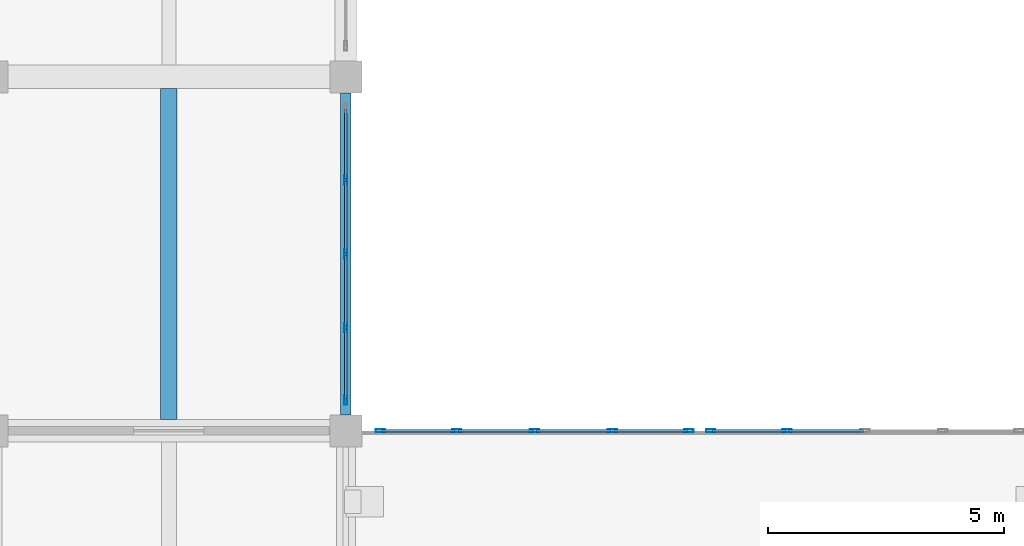
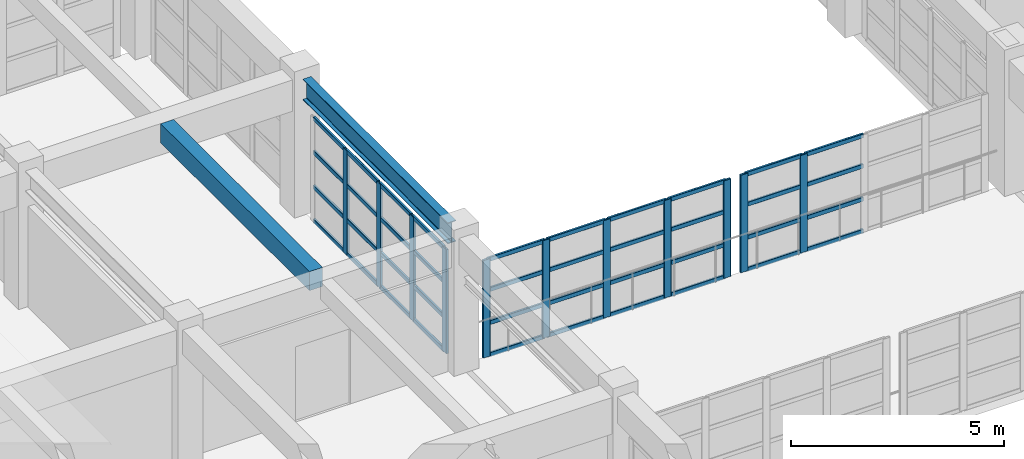
# One storey, part 23 of 132: 51 members, 2 beams, 3 elements without a shape of their own.
"""IFC4 building model written with IfcOpenShell, lengths in metres."""

from ifc_helpers import new_model, si_unit, direction, frame, origin, origin_2d, place, context, subcontext, project, spatial, rectangle, hollow_rectangle, i_section, extrude, material, material_profile, profile_set, type_object, element, aggregate, save


model = new_model("IFC4")

# Units and contexts
model_context = context("Model", 3, precision=1e-05, world=origin(), true_north=direction((0.0, 1.0)))
body_context = subcontext(model_context, "Body", "Model", "MODEL_VIEW")
ifc_project = project(units=[si_unit("LENGTHUNIT", "METRE"), si_unit("AREAUNIT", "SQUARE_METRE"), si_unit("VOLUMEUNIT", "CUBIC_METRE"), si_unit("PLANEANGLEUNIT", "RADIAN"), si_unit("MASSUNIT", "GRAM", prefix="KILO")], contexts=[model_context])

# Site, building, storey
site_placement = place(None, origin())
site = spatial("IfcSite", under=ifc_project, at=site_placement, CompositionType="ELEMENT")
building_placement = place(site_placement, origin())
building = spatial("IfcBuilding", under=site, at=building_placement, Name="Qasida Concert Hall", CompositionType="ELEMENT")
storey_placement = place(building_placement, frame((0.0, 0.0, 4.800048828125)))
storey = spatial("IfcBuildingStorey", under=building, at=storey_placement, Name="L01", CompositionType="ELEMENT", Elevation=4.800048828125)

# Beams
ifc_material_1 = material(Name="Concrete C40/50", Category="concrete")
ifc_material_profile_1 = material_profile(ifc_material_1, rectangle(XDim=0.35009765625, YDim=0.550048828125, at=origin_2d()), Name="RC 350x550")
ifc_profile_set_1 = profile_set([ifc_material_profile_1], Name="Concrete C40/50")
beam_type_1 = type_object("IfcBeamType", Name="BM-J8", PredefinedType="JOIST", material=ifc_profile_set_1)
beam_1_placement = place(storey_placement, frame((33.75, 37.739990234375, 3.64501953125), z_axis=(0.0, 1.0, 0.0), x_axis=(-1.0, 0.0, 0.0)))
element("IfcBeam", 1, at=beam_1_placement, inside=storey, type_object=beam_type_1, Name="L01 secondary joist 0975", PredefinedType="JOIST", context=body_context, shape_type="SweptSolid", body=[
    extrude(rectangle(XDim=0.35009765625, YDim=0.550048828125, at=origin_2d()), origin(), (0.0, 0.0, 1.0), 7.010009765625),
])
ifc_material_2 = material(Name="Steel S355J2", Category="steel")
ifc_material_profile_2 = material_profile(ifc_material_2, i_section(OverallWidth=0.219970703125, OverallDepth=0.60009765625, WebThickness=0.011962890625, FlangeThickness=0.01904296875, FilletRadius=0.02392578125, at=origin_2d()), Name="IPE 600")
ifc_profile_set_2 = profile_set([ifc_material_profile_2], Name="Steel S355J2")
beam_type_2 = type_object("IfcBeamType", Name="BM-SP3", PredefinedType="SPANDREL", material=ifc_profile_set_2)
beam_2_placement = place(storey_placement, frame((37.5, 37.840087890625, 3.619873046875), z_axis=(0.0, 1.0, 0.0), x_axis=(-1.0, 0.0, 0.0)))
element("IfcBeam", 2, at=beam_2_placement, inside=storey, type_object=beam_type_2, Name="L01 girder 0946", PredefinedType="SPANDREL", context=body_context, shape_type="SweptSolid", body=[
    extrude(i_section(OverallWidth=0.219970703125, OverallDepth=0.60009765625, WebThickness=0.011962890625, FlangeThickness=0.01904296875, FilletRadius=0.02392578125, at=origin_2d()), origin(), (0.0, 0.0, 1.0), 6.81982421875),
])

# Curtain wall, members
ifc_material_3 = material(Name="Architectural bronze-anodized aluminium and low-E glass", Category="aluminium")
curtain_wall_type_1 = type_object("IfcCurtainWallType", Name="CW-07", PredefinedType="NOTDEFINED", material=ifc_material_3)
curtain_wall_1_placement = place(storey_placement, origin())
curtain_wall_1 = element("IfcCurtainWall", 3, at=curtain_wall_1_placement, inside=storey, type_object=curtain_wall_type_1, Name="L01 curtain wall CW-07 0097", PredefinedType="NOTDEFINED")
ifc_material_4 = material(Name="Architectural bronze-anodized aluminium EN AW-6063", Category="aluminium")
ifc_material_profile_3 = material_profile(ifc_material_4, hollow_rectangle(XDim=0.06494140625, YDim=0.199951171875, WallThickness=0.0048828125, InnerFilletRadius=0.0048828125, OuterFilletRadius=0.010009765625, at=origin_2d()), Name="CWM 200x65x5")
ifc_profile_set_3 = profile_set([ifc_material_profile_3], Name="Architectural bronze-anodized aluminium EN AW-6063")
member_type_1 = type_object("IfcMemberType", Name="MB-CWM-2", PredefinedType="MULLION", material=ifc_profile_set_3)
member_1_placement = place(storey_placement, frame((37.5, 38.152587890625, 0.0), z_axis=(0.0, 0.0, 1.0), x_axis=(-1.0, 0.0, 0.0)))
member_1 = element("IfcMember", 4, at=member_1_placement, type_object=member_type_1, Name="CW-07 mullion 1", PredefinedType="MULLION", context=body_context, shape_type="SweptSolid", body=[
    extrude(hollow_rectangle(XDim=0.06494140625, YDim=0.199951171875, WallThickness=0.0048828125, InnerFilletRadius=0.0048828125, OuterFilletRadius=0.010009765625, at=origin_2d()), origin(), (0.0, 0.0, 1.0), 2.989990234375),
])
member_2_placement = place(storey_placement, frame((37.5, 39.68505859375, 0.0), z_axis=(0.0, 0.0, 1.0), x_axis=(-1.0, 0.0, 0.0)))
member_2 = element("IfcMember", 5, at=member_2_placement, type_object=member_type_1, Name="CW-07 mullion 2", PredefinedType="MULLION", context=body_context, shape_type="SweptSolid", body=[
    extrude(hollow_rectangle(XDim=0.06494140625, YDim=0.199951171875, WallThickness=0.0048828125, InnerFilletRadius=0.0048828125, OuterFilletRadius=0.010009765625, at=origin_2d()), origin(), (0.0, 0.0, 1.0), 2.989990234375),
])
member_3_placement = place(storey_placement, frame((37.5, 41.25, 0.0), z_axis=(0.0, 0.0, 1.0), x_axis=(-1.0, 0.0, 0.0)))
member_3 = element("IfcMember", 6, at=member_3_placement, type_object=member_type_1, Name="CW-07 mullion 3", PredefinedType="MULLION", context=body_context, shape_type="SweptSolid", body=[
    extrude(hollow_rectangle(XDim=0.06494140625, YDim=0.199951171875, WallThickness=0.0048828125, InnerFilletRadius=0.0048828125, OuterFilletRadius=0.010009765625, at=origin_2d()), origin(), (0.0, 0.0, 1.0), 2.989990234375),
])
member_4_placement = place(storey_placement, frame((37.5, 42.81494140625, 0.0), z_axis=(0.0, 0.0, 1.0), x_axis=(-1.0, 0.0, 0.0)))
member_4 = element("IfcMember", 7, at=member_4_placement, type_object=member_type_1, Name="CW-07 mullion 4", PredefinedType="MULLION", context=body_context, shape_type="SweptSolid", body=[
    extrude(hollow_rectangle(XDim=0.06494140625, YDim=0.199951171875, WallThickness=0.0048828125, InnerFilletRadius=0.0048828125, OuterFilletRadius=0.010009765625, at=origin_2d()), origin(), (0.0, 0.0, 1.0), 2.989990234375),
])

curtain_wall_type_2 = type_object("IfcCurtainWallType", Name="CW-08", PredefinedType="NOTDEFINED", material=ifc_material_3)
curtain_wall_2_placement = place(storey_placement, origin())
curtain_wall_2 = element("IfcCurtainWall", 8, at=curtain_wall_2_placement, inside=storey, type_object=curtain_wall_type_2, Name="L01 link bridge glazing 0199", PredefinedType="NOTDEFINED")
member_5_placement = place(storey_placement, frame((38.232421875, 37.5, 0.0), z_axis=(0.0, 0.0, 1.0), x_axis=(0.0, 1.0, 0.0)))
member_5 = element("IfcMember", 9, at=member_5_placement, type_object=member_type_1, Name="CW-08 mullion 1", PredefinedType="MULLION", context=body_context, shape_type="SweptSolid", body=[
    extrude(hollow_rectangle(XDim=0.06494140625, YDim=0.199951171875, WallThickness=0.0048828125, InnerFilletRadius=0.0048828125, OuterFilletRadius=0.010009765625, at=origin_2d()), origin(), (0.0, 0.0, 1.0), 2.800048828125),
])
member_6_placement = place(storey_placement, frame((39.85009765625, 37.5, 0.0), z_axis=(0.0, 0.0, 1.0), x_axis=(0.0, 1.0, 0.0)))
member_6 = element("IfcMember", 10, at=member_6_placement, type_object=member_type_1, Name="CW-08 mullion 2", PredefinedType="MULLION", context=body_context, shape_type="SweptSolid", body=[
    extrude(hollow_rectangle(XDim=0.06494140625, YDim=0.199951171875, WallThickness=0.0048828125, InnerFilletRadius=0.0048828125, OuterFilletRadius=0.010009765625, at=origin_2d()), origin(), (0.0, 0.0, 1.0), 2.800048828125),
])
member_7_placement = place(storey_placement, frame((41.5, 37.5, 0.0), z_axis=(0.0, 0.0, 1.0), x_axis=(0.0, 1.0, 0.0)))
member_7 = element("IfcMember", 11, at=member_7_placement, type_object=member_type_1, Name="CW-08 mullion 3", PredefinedType="MULLION", context=body_context, shape_type="SweptSolid", body=[
    extrude(hollow_rectangle(XDim=0.06494140625, YDim=0.199951171875, WallThickness=0.0048828125, InnerFilletRadius=0.0048828125, OuterFilletRadius=0.010009765625, at=origin_2d()), origin(), (0.0, 0.0, 1.0), 2.800048828125),
])
member_8_placement = place(storey_placement, frame((43.14990234375, 37.5, 0.0), z_axis=(0.0, 0.0, 1.0), x_axis=(0.0, 1.0, 0.0)))
member_8 = element("IfcMember", 12, at=member_8_placement, type_object=member_type_1, Name="CW-08 mullion 4", PredefinedType="MULLION", context=body_context, shape_type="SweptSolid", body=[
    extrude(hollow_rectangle(XDim=0.06494140625, YDim=0.199951171875, WallThickness=0.0048828125, InnerFilletRadius=0.0048828125, OuterFilletRadius=0.010009765625, at=origin_2d()), origin(), (0.0, 0.0, 1.0), 2.800048828125),
])
member_9_placement = place(storey_placement, frame((44.767578125, 37.5, 0.0), z_axis=(0.0, 0.0, 1.0), x_axis=(0.0, 1.0, 0.0)))
member_9 = element("IfcMember", 13, at=member_9_placement, type_object=member_type_1, Name="CW-08 mullion 5", PredefinedType="MULLION", context=body_context, shape_type="SweptSolid", body=[
    extrude(hollow_rectangle(XDim=0.06494140625, YDim=0.199951171875, WallThickness=0.0048828125, InnerFilletRadius=0.0048828125, OuterFilletRadius=0.010009765625, at=origin_2d()), origin(), (0.0, 0.0, 1.0), 2.800048828125),
])

curtain_wall_3_placement = place(storey_placement, origin())
curtain_wall_3 = element("IfcCurtainWall", 14, at=curtain_wall_3_placement, inside=storey, type_object=curtain_wall_type_2, Name="L01 link bridge glazing 0201", PredefinedType="NOTDEFINED")
member_10_placement = place(storey_placement, frame((45.232421875, 37.5, 0.0), z_axis=(0.0, 0.0, 1.0), x_axis=(0.0, 1.0, 0.0)))
member_10 = element("IfcMember", 15, at=member_10_placement, type_object=member_type_1, Name="CW-08 mullion 1", PredefinedType="MULLION", context=body_context, shape_type="SweptSolid", body=[
    extrude(hollow_rectangle(XDim=0.06494140625, YDim=0.199951171875, WallThickness=0.0048828125, InnerFilletRadius=0.0048828125, OuterFilletRadius=0.010009765625, at=origin_2d()), origin(), (0.0, 0.0, 1.0), 2.800048828125),
])
member_11_placement = place(storey_placement, frame((46.85009765625, 37.5, 0.0), z_axis=(0.0, 0.0, 1.0), x_axis=(0.0, 1.0, 0.0)))
member_11 = element("IfcMember", 16, at=member_11_placement, type_object=member_type_1, Name="CW-08 mullion 2", PredefinedType="MULLION", context=body_context, shape_type="SweptSolid", body=[
    extrude(hollow_rectangle(XDim=0.06494140625, YDim=0.199951171875, WallThickness=0.0048828125, InnerFilletRadius=0.0048828125, OuterFilletRadius=0.010009765625, at=origin_2d()), origin(), (0.0, 0.0, 1.0), 2.800048828125),
])

# Member
ifc_material_profile_4 = material_profile(ifc_material_4, hollow_rectangle(XDim=0.06005859375, YDim=0.1201171875, WallThickness=0.00390625, InnerFilletRadius=0.00390625, OuterFilletRadius=0.008056640625, at=origin_2d()), Name="CWT 120x60x4")
ifc_profile_set_4 = profile_set([ifc_material_profile_4], Name="Architectural bronze-anodized aluminium EN AW-6063")
member_type_2 = type_object("IfcMemberType", Name="MB-CWT-2", PredefinedType="USERDEFINED", material=ifc_profile_set_4)
member_12_placement = place(storey_placement, frame((37.5, 38.18505859375, 0.030029296875), z_axis=(0.0, 1.0, 0.0), x_axis=(-1.0, 0.0, 0.0)))
member_12 = element("IfcMember", 17, at=member_12_placement, type_object=member_type_2, Name="CW-07 transom 1.1", ObjectType="TRANSOM", PredefinedType="USERDEFINED", context=body_context, shape_type="SweptSolid", body=[
    extrude(hollow_rectangle(XDim=0.06005859375, YDim=0.1201171875, WallThickness=0.00390625, InnerFilletRadius=0.00390625, OuterFilletRadius=0.008056640625, at=origin_2d()), origin(), (0.0, 0.0, 1.0), 1.467529296875),
])

member_13_placement = place(storey_placement, frame((37.5, 38.18505859375, 0.99658203125), z_axis=(0.0, 1.0, 0.0), x_axis=(-1.0, 0.0, 0.0)))
member_13 = element("IfcMember", 18, at=member_13_placement, type_object=member_type_2, Name="CW-07 transom 1.2", ObjectType="TRANSOM", PredefinedType="USERDEFINED", context=body_context, shape_type="SweptSolid", body=[
    extrude(hollow_rectangle(XDim=0.06005859375, YDim=0.1201171875, WallThickness=0.00390625, InnerFilletRadius=0.00390625, OuterFilletRadius=0.008056640625, at=origin_2d()), origin(), (0.0, 0.0, 1.0), 1.467529296875),
])

member_14_placement = place(storey_placement, frame((37.5, 38.18505859375, 1.9931640625), z_axis=(0.0, 1.0, 0.0), x_axis=(-1.0, 0.0, 0.0)))
member_14 = element("IfcMember", 19, at=member_14_placement, type_object=member_type_2, Name="CW-07 transom 1.3", ObjectType="TRANSOM", PredefinedType="USERDEFINED", context=body_context, shape_type="SweptSolid", body=[
    extrude(hollow_rectangle(XDim=0.06005859375, YDim=0.1201171875, WallThickness=0.00390625, InnerFilletRadius=0.00390625, OuterFilletRadius=0.008056640625, at=origin_2d()), origin(), (0.0, 0.0, 1.0), 1.467529296875),
])

member_15_placement = place(storey_placement, frame((37.5, 38.18505859375, 2.9599609375), z_axis=(0.0, 1.0, 0.0), x_axis=(-1.0, 0.0, 0.0)))
member_15 = element("IfcMember", 20, at=member_15_placement, type_object=member_type_2, Name="CW-07 transom 1.4", ObjectType="TRANSOM", PredefinedType="USERDEFINED", context=body_context, shape_type="SweptSolid", body=[
    extrude(hollow_rectangle(XDim=0.06005859375, YDim=0.1201171875, WallThickness=0.00390625, InnerFilletRadius=0.00390625, OuterFilletRadius=0.008056640625, at=origin_2d()), origin(), (0.0, 0.0, 1.0), 1.467529296875),
])

member_16_placement = place(storey_placement, frame((37.5, 39.717529296875, 0.030029296875), z_axis=(0.0, 1.0, 0.0), x_axis=(-1.0, 0.0, 0.0)))
member_16 = element("IfcMember", 21, at=member_16_placement, type_object=member_type_2, Name="CW-07 transom 2.1", ObjectType="TRANSOM", PredefinedType="USERDEFINED", context=body_context, shape_type="SweptSolid", body=[
    extrude(hollow_rectangle(XDim=0.06005859375, YDim=0.1201171875, WallThickness=0.00390625, InnerFilletRadius=0.00390625, OuterFilletRadius=0.008056640625, at=origin_2d()), origin(), (0.0, 0.0, 1.0), 1.5),
])

member_17_placement = place(storey_placement, frame((37.5, 39.717529296875, 0.99658203125), z_axis=(0.0, 1.0, 0.0), x_axis=(-1.0, 0.0, 0.0)))
member_17 = element("IfcMember", 22, at=member_17_placement, type_object=member_type_2, Name="CW-07 transom 2.2", ObjectType="TRANSOM", PredefinedType="USERDEFINED", context=body_context, shape_type="SweptSolid", body=[
    extrude(hollow_rectangle(XDim=0.06005859375, YDim=0.1201171875, WallThickness=0.00390625, InnerFilletRadius=0.00390625, OuterFilletRadius=0.008056640625, at=origin_2d()), origin(), (0.0, 0.0, 1.0), 1.5),
])

member_18_placement = place(storey_placement, frame((37.5, 39.717529296875, 1.9931640625), z_axis=(0.0, 1.0, 0.0), x_axis=(-1.0, 0.0, 0.0)))
member_18 = element("IfcMember", 23, at=member_18_placement, type_object=member_type_2, Name="CW-07 transom 2.3", ObjectType="TRANSOM", PredefinedType="USERDEFINED", context=body_context, shape_type="SweptSolid", body=[
    extrude(hollow_rectangle(XDim=0.06005859375, YDim=0.1201171875, WallThickness=0.00390625, InnerFilletRadius=0.00390625, OuterFilletRadius=0.008056640625, at=origin_2d()), origin(), (0.0, 0.0, 1.0), 1.5),
])

member_19_placement = place(storey_placement, frame((37.5, 39.717529296875, 2.9599609375), z_axis=(0.0, 1.0, 0.0), x_axis=(-1.0, 0.0, 0.0)))
member_19 = element("IfcMember", 24, at=member_19_placement, type_object=member_type_2, Name="CW-07 transom 2.4", ObjectType="TRANSOM", PredefinedType="USERDEFINED", context=body_context, shape_type="SweptSolid", body=[
    extrude(hollow_rectangle(XDim=0.06005859375, YDim=0.1201171875, WallThickness=0.00390625, InnerFilletRadius=0.00390625, OuterFilletRadius=0.008056640625, at=origin_2d()), origin(), (0.0, 0.0, 1.0), 1.5),
])

member_20_placement = place(storey_placement, frame((37.5, 41.282470703125, 0.030029296875), z_axis=(0.0, 1.0, 0.0), x_axis=(-1.0, 0.0, 0.0)))
member_20 = element("IfcMember", 25, at=member_20_placement, type_object=member_type_2, Name="CW-07 transom 3.1", ObjectType="TRANSOM", PredefinedType="USERDEFINED", context=body_context, shape_type="SweptSolid", body=[
    extrude(hollow_rectangle(XDim=0.06005859375, YDim=0.1201171875, WallThickness=0.00390625, InnerFilletRadius=0.00390625, OuterFilletRadius=0.008056640625, at=origin_2d()), origin(), (0.0, 0.0, 1.0), 1.5),
])

member_21_placement = place(storey_placement, frame((37.5, 41.282470703125, 0.99658203125), z_axis=(0.0, 1.0, 0.0), x_axis=(-1.0, 0.0, 0.0)))
member_21 = element("IfcMember", 26, at=member_21_placement, type_object=member_type_2, Name="CW-07 transom 3.2", ObjectType="TRANSOM", PredefinedType="USERDEFINED", context=body_context, shape_type="SweptSolid", body=[
    extrude(hollow_rectangle(XDim=0.06005859375, YDim=0.1201171875, WallThickness=0.00390625, InnerFilletRadius=0.00390625, OuterFilletRadius=0.008056640625, at=origin_2d()), origin(), (0.0, 0.0, 1.0), 1.5),
])

member_22_placement = place(storey_placement, frame((37.5, 41.282470703125, 1.9931640625), z_axis=(0.0, 1.0, 0.0), x_axis=(-1.0, 0.0, 0.0)))
member_22 = element("IfcMember", 27, at=member_22_placement, type_object=member_type_2, Name="CW-07 transom 3.3", ObjectType="TRANSOM", PredefinedType="USERDEFINED", context=body_context, shape_type="SweptSolid", body=[
    extrude(hollow_rectangle(XDim=0.06005859375, YDim=0.1201171875, WallThickness=0.00390625, InnerFilletRadius=0.00390625, OuterFilletRadius=0.008056640625, at=origin_2d()), origin(), (0.0, 0.0, 1.0), 1.5),
])

member_23_placement = place(storey_placement, frame((37.5, 41.282470703125, 2.9599609375), z_axis=(0.0, 1.0, 0.0), x_axis=(-1.0, 0.0, 0.0)))
member_23 = element("IfcMember", 28, at=member_23_placement, type_object=member_type_2, Name="CW-07 transom 3.4", ObjectType="TRANSOM", PredefinedType="USERDEFINED", context=body_context, shape_type="SweptSolid", body=[
    extrude(hollow_rectangle(XDim=0.06005859375, YDim=0.1201171875, WallThickness=0.00390625, InnerFilletRadius=0.00390625, OuterFilletRadius=0.008056640625, at=origin_2d()), origin(), (0.0, 0.0, 1.0), 1.5),
])

member_24_placement = place(storey_placement, frame((37.5, 42.847412109375, 0.030029296875), z_axis=(0.0, 1.0, 0.0), x_axis=(-1.0, 0.0, 0.0)))
member_24 = element("IfcMember", 29, at=member_24_placement, type_object=member_type_2, Name="CW-07 transom 4.1", ObjectType="TRANSOM", PredefinedType="USERDEFINED", context=body_context, shape_type="SweptSolid", body=[
    extrude(hollow_rectangle(XDim=0.06005859375, YDim=0.1201171875, WallThickness=0.00390625, InnerFilletRadius=0.00390625, OuterFilletRadius=0.008056640625, at=origin_2d()), origin(), (0.0, 0.0, 1.0), 1.467529296875),
])

member_25_placement = place(storey_placement, frame((37.5, 42.847412109375, 0.99658203125), z_axis=(0.0, 1.0, 0.0), x_axis=(-1.0, 0.0, 0.0)))
member_25 = element("IfcMember", 30, at=member_25_placement, type_object=member_type_2, Name="CW-07 transom 4.2", ObjectType="TRANSOM", PredefinedType="USERDEFINED", context=body_context, shape_type="SweptSolid", body=[
    extrude(hollow_rectangle(XDim=0.06005859375, YDim=0.1201171875, WallThickness=0.00390625, InnerFilletRadius=0.00390625, OuterFilletRadius=0.008056640625, at=origin_2d()), origin(), (0.0, 0.0, 1.0), 1.467529296875),
])

member_26_placement = place(storey_placement, frame((37.5, 42.847412109375, 1.9931640625), z_axis=(0.0, 1.0, 0.0), x_axis=(-1.0, 0.0, 0.0)))
member_26 = element("IfcMember", 31, at=member_26_placement, type_object=member_type_2, Name="CW-07 transom 4.3", ObjectType="TRANSOM", PredefinedType="USERDEFINED", context=body_context, shape_type="SweptSolid", body=[
    extrude(hollow_rectangle(XDim=0.06005859375, YDim=0.1201171875, WallThickness=0.00390625, InnerFilletRadius=0.00390625, OuterFilletRadius=0.008056640625, at=origin_2d()), origin(), (0.0, 0.0, 1.0), 1.467529296875),
])

member_27_placement = place(storey_placement, frame((37.5, 42.847412109375, 2.9599609375), z_axis=(0.0, 1.0, 0.0), x_axis=(-1.0, 0.0, 0.0)))
member_27 = element("IfcMember", 32, at=member_27_placement, type_object=member_type_2, Name="CW-07 transom 4.4", ObjectType="TRANSOM", PredefinedType="USERDEFINED", context=body_context, shape_type="SweptSolid", body=[
    extrude(hollow_rectangle(XDim=0.06005859375, YDim=0.1201171875, WallThickness=0.00390625, InnerFilletRadius=0.00390625, OuterFilletRadius=0.008056640625, at=origin_2d()), origin(), (0.0, 0.0, 1.0), 1.467529296875),
])

aggregate(curtain_wall_1, [member_1, member_2, member_3, member_4, member_12, member_13, member_14, member_15, member_16, member_17, member_18, member_19, member_20, member_21, member_22, member_23, member_24, member_25, member_26, member_27])

member_28_placement = place(storey_placement, frame((38.264892578125, 37.5, 0.030029296875), z_axis=(1.0, 0.0, 0.0), x_axis=(0.0, 1.0, 0.0)))
member_28 = element("IfcMember", 33, at=member_28_placement, type_object=member_type_2, Name="CW-08 transom 1.1", ObjectType="TRANSOM", PredefinedType="USERDEFINED", context=body_context, shape_type="SweptSolid", body=[
    extrude(hollow_rectangle(XDim=0.06005859375, YDim=0.1201171875, WallThickness=0.00390625, InnerFilletRadius=0.00390625, OuterFilletRadius=0.008056640625, at=origin_2d()), origin(), (0.0, 0.0, 1.0), 1.552490234375),
])

member_29_placement = place(storey_placement, frame((38.264892578125, 37.5, 0.949951171875), z_axis=(1.0, 0.0, 0.0), x_axis=(0.0, 1.0, 0.0)))
member_29 = element("IfcMember", 34, at=member_29_placement, type_object=member_type_2, Name="CW-08 transom 1.2", ObjectType="TRANSOM", PredefinedType="USERDEFINED", context=body_context, shape_type="SweptSolid", body=[
    extrude(hollow_rectangle(XDim=0.06005859375, YDim=0.1201171875, WallThickness=0.00390625, InnerFilletRadius=0.00390625, OuterFilletRadius=0.008056640625, at=origin_2d()), origin(), (0.0, 0.0, 1.0), 1.552490234375),
])

member_30_placement = place(storey_placement, frame((38.264892578125, 37.5, 1.89990234375), z_axis=(1.0, 0.0, 0.0), x_axis=(0.0, 1.0, 0.0)))
member_30 = element("IfcMember", 35, at=member_30_placement, type_object=member_type_2, Name="CW-08 transom 1.3", ObjectType="TRANSOM", PredefinedType="USERDEFINED", context=body_context, shape_type="SweptSolid", body=[
    extrude(hollow_rectangle(XDim=0.06005859375, YDim=0.1201171875, WallThickness=0.00390625, InnerFilletRadius=0.00390625, OuterFilletRadius=0.008056640625, at=origin_2d()), origin(), (0.0, 0.0, 1.0), 1.552490234375),
])

member_31_placement = place(storey_placement, frame((38.264892578125, 37.5, 2.77001953125), z_axis=(1.0, 0.0, 0.0), x_axis=(0.0, 1.0, 0.0)))
member_31 = element("IfcMember", 36, at=member_31_placement, type_object=member_type_2, Name="CW-08 transom 1.4", ObjectType="TRANSOM", PredefinedType="USERDEFINED", context=body_context, shape_type="SweptSolid", body=[
    extrude(hollow_rectangle(XDim=0.06005859375, YDim=0.1201171875, WallThickness=0.00390625, InnerFilletRadius=0.00390625, OuterFilletRadius=0.008056640625, at=origin_2d()), origin(), (0.0, 0.0, 1.0), 1.552490234375),
])

member_32_placement = place(storey_placement, frame((39.882568359375, 37.5, 0.030029296875), z_axis=(1.0, 0.0, 0.0), x_axis=(0.0, 1.0, 0.0)))
member_32 = element("IfcMember", 37, at=member_32_placement, type_object=member_type_2, Name="CW-08 transom 2.1", ObjectType="TRANSOM", PredefinedType="USERDEFINED", context=body_context, shape_type="SweptSolid", body=[
    extrude(hollow_rectangle(XDim=0.06005859375, YDim=0.1201171875, WallThickness=0.00390625, InnerFilletRadius=0.00390625, OuterFilletRadius=0.008056640625, at=origin_2d()), origin(), (0.0, 0.0, 1.0), 1.5849609375),
])

member_33_placement = place(storey_placement, frame((39.882568359375, 37.5, 0.949951171875), z_axis=(1.0, 0.0, 0.0), x_axis=(0.0, 1.0, 0.0)))
member_33 = element("IfcMember", 38, at=member_33_placement, type_object=member_type_2, Name="CW-08 transom 2.2", ObjectType="TRANSOM", PredefinedType="USERDEFINED", context=body_context, shape_type="SweptSolid", body=[
    extrude(hollow_rectangle(XDim=0.06005859375, YDim=0.1201171875, WallThickness=0.00390625, InnerFilletRadius=0.00390625, OuterFilletRadius=0.008056640625, at=origin_2d()), origin(), (0.0, 0.0, 1.0), 1.5849609375),
])

member_34_placement = place(storey_placement, frame((39.882568359375, 37.5, 1.89990234375), z_axis=(1.0, 0.0, 0.0), x_axis=(0.0, 1.0, 0.0)))
member_34 = element("IfcMember", 39, at=member_34_placement, type_object=member_type_2, Name="CW-08 transom 2.3", ObjectType="TRANSOM", PredefinedType="USERDEFINED", context=body_context, shape_type="SweptSolid", body=[
    extrude(hollow_rectangle(XDim=0.06005859375, YDim=0.1201171875, WallThickness=0.00390625, InnerFilletRadius=0.00390625, OuterFilletRadius=0.008056640625, at=origin_2d()), origin(), (0.0, 0.0, 1.0), 1.5849609375),
])

member_35_placement = place(storey_placement, frame((39.882568359375, 37.5, 2.77001953125), z_axis=(1.0, 0.0, 0.0), x_axis=(0.0, 1.0, 0.0)))
member_35 = element("IfcMember", 40, at=member_35_placement, type_object=member_type_2, Name="CW-08 transom 2.4", ObjectType="TRANSOM", PredefinedType="USERDEFINED", context=body_context, shape_type="SweptSolid", body=[
    extrude(hollow_rectangle(XDim=0.06005859375, YDim=0.1201171875, WallThickness=0.00390625, InnerFilletRadius=0.00390625, OuterFilletRadius=0.008056640625, at=origin_2d()), origin(), (0.0, 0.0, 1.0), 1.5849609375),
])

member_36_placement = place(storey_placement, frame((41.532470703125, 37.5, 0.030029296875), z_axis=(1.0, 0.0, 0.0), x_axis=(0.0, 1.0, 0.0)))
member_36 = element("IfcMember", 41, at=member_36_placement, type_object=member_type_2, Name="CW-08 transom 3.1", ObjectType="TRANSOM", PredefinedType="USERDEFINED", context=body_context, shape_type="SweptSolid", body=[
    extrude(hollow_rectangle(XDim=0.06005859375, YDim=0.1201171875, WallThickness=0.00390625, InnerFilletRadius=0.00390625, OuterFilletRadius=0.008056640625, at=origin_2d()), origin(), (0.0, 0.0, 1.0), 1.5849609375),
])

member_37_placement = place(storey_placement, frame((41.532470703125, 37.5, 0.949951171875), z_axis=(1.0, 0.0, 0.0), x_axis=(0.0, 1.0, 0.0)))
member_37 = element("IfcMember", 42, at=member_37_placement, type_object=member_type_2, Name="CW-08 transom 3.2", ObjectType="TRANSOM", PredefinedType="USERDEFINED", context=body_context, shape_type="SweptSolid", body=[
    extrude(hollow_rectangle(XDim=0.06005859375, YDim=0.1201171875, WallThickness=0.00390625, InnerFilletRadius=0.00390625, OuterFilletRadius=0.008056640625, at=origin_2d()), origin(), (0.0, 0.0, 1.0), 1.5849609375),
])

member_38_placement = place(storey_placement, frame((41.532470703125, 37.5, 1.89990234375), z_axis=(1.0, 0.0, 0.0), x_axis=(0.0, 1.0, 0.0)))
member_38 = element("IfcMember", 43, at=member_38_placement, type_object=member_type_2, Name="CW-08 transom 3.3", ObjectType="TRANSOM", PredefinedType="USERDEFINED", context=body_context, shape_type="SweptSolid", body=[
    extrude(hollow_rectangle(XDim=0.06005859375, YDim=0.1201171875, WallThickness=0.00390625, InnerFilletRadius=0.00390625, OuterFilletRadius=0.008056640625, at=origin_2d()), origin(), (0.0, 0.0, 1.0), 1.5849609375),
])

member_39_placement = place(storey_placement, frame((41.532470703125, 37.5, 2.77001953125), z_axis=(1.0, 0.0, 0.0), x_axis=(0.0, 1.0, 0.0)))
member_39 = element("IfcMember", 44, at=member_39_placement, type_object=member_type_2, Name="CW-08 transom 3.4", ObjectType="TRANSOM", PredefinedType="USERDEFINED", context=body_context, shape_type="SweptSolid", body=[
    extrude(hollow_rectangle(XDim=0.06005859375, YDim=0.1201171875, WallThickness=0.00390625, InnerFilletRadius=0.00390625, OuterFilletRadius=0.008056640625, at=origin_2d()), origin(), (0.0, 0.0, 1.0), 1.5849609375),
])

member_40_placement = place(storey_placement, frame((43.1826171875, 37.5, 0.030029296875), z_axis=(1.0, 0.0, 0.0), x_axis=(0.0, 1.0, 0.0)))
member_40 = element("IfcMember", 45, at=member_40_placement, type_object=member_type_2, Name="CW-08 transom 4.1", ObjectType="TRANSOM", PredefinedType="USERDEFINED", context=body_context, shape_type="SweptSolid", body=[
    extrude(hollow_rectangle(XDim=0.06005859375, YDim=0.1201171875, WallThickness=0.00390625, InnerFilletRadius=0.00390625, OuterFilletRadius=0.008056640625, at=origin_2d()), origin(), (0.0, 0.0, 1.0), 1.552490234375),
])

member_41_placement = place(storey_placement, frame((43.1826171875, 37.5, 0.949951171875), z_axis=(1.0, 0.0, 0.0), x_axis=(0.0, 1.0, 0.0)))
member_41 = element("IfcMember", 46, at=member_41_placement, type_object=member_type_2, Name="CW-08 transom 4.2", ObjectType="TRANSOM", PredefinedType="USERDEFINED", context=body_context, shape_type="SweptSolid", body=[
    extrude(hollow_rectangle(XDim=0.06005859375, YDim=0.1201171875, WallThickness=0.00390625, InnerFilletRadius=0.00390625, OuterFilletRadius=0.008056640625, at=origin_2d()), origin(), (0.0, 0.0, 1.0), 1.552490234375),
])

member_42_placement = place(storey_placement, frame((43.1826171875, 37.5, 1.89990234375), z_axis=(1.0, 0.0, 0.0), x_axis=(0.0, 1.0, 0.0)))
member_42 = element("IfcMember", 47, at=member_42_placement, type_object=member_type_2, Name="CW-08 transom 4.3", ObjectType="TRANSOM", PredefinedType="USERDEFINED", context=body_context, shape_type="SweptSolid", body=[
    extrude(hollow_rectangle(XDim=0.06005859375, YDim=0.1201171875, WallThickness=0.00390625, InnerFilletRadius=0.00390625, OuterFilletRadius=0.008056640625, at=origin_2d()), origin(), (0.0, 0.0, 1.0), 1.552490234375),
])

member_43_placement = place(storey_placement, frame((43.1826171875, 37.5, 2.77001953125), z_axis=(1.0, 0.0, 0.0), x_axis=(0.0, 1.0, 0.0)))
member_43 = element("IfcMember", 48, at=member_43_placement, type_object=member_type_2, Name="CW-08 transom 4.4", ObjectType="TRANSOM", PredefinedType="USERDEFINED", context=body_context, shape_type="SweptSolid", body=[
    extrude(hollow_rectangle(XDim=0.06005859375, YDim=0.1201171875, WallThickness=0.00390625, InnerFilletRadius=0.00390625, OuterFilletRadius=0.008056640625, at=origin_2d()), origin(), (0.0, 0.0, 1.0), 1.552490234375),
])

aggregate(curtain_wall_2, [member_5, member_6, member_7, member_8, member_9, member_28, member_29, member_30, member_31, member_32, member_33, member_34, member_35, member_36, member_37, member_38, member_39, member_40, member_41, member_42, member_43])

member_44_placement = place(storey_placement, frame((45.264892578125, 37.5, 0.030029296875), z_axis=(1.0, 0.0, 0.0), x_axis=(0.0, 1.0, 0.0)))
member_44 = element("IfcMember", 49, at=member_44_placement, type_object=member_type_2, Name="CW-08 transom 1.1", ObjectType="TRANSOM", PredefinedType="USERDEFINED", context=body_context, shape_type="SweptSolid", body=[
    extrude(hollow_rectangle(XDim=0.06005859375, YDim=0.1201171875, WallThickness=0.00390625, InnerFilletRadius=0.00390625, OuterFilletRadius=0.008056640625, at=origin_2d()), origin(), (0.0, 0.0, 1.0), 1.552490234375),
])

member_45_placement = place(storey_placement, frame((45.264892578125, 37.5, 0.949951171875), z_axis=(1.0, 0.0, 0.0), x_axis=(0.0, 1.0, 0.0)))
member_45 = element("IfcMember", 50, at=member_45_placement, type_object=member_type_2, Name="CW-08 transom 1.2", ObjectType="TRANSOM", PredefinedType="USERDEFINED", context=body_context, shape_type="SweptSolid", body=[
    extrude(hollow_rectangle(XDim=0.06005859375, YDim=0.1201171875, WallThickness=0.00390625, InnerFilletRadius=0.00390625, OuterFilletRadius=0.008056640625, at=origin_2d()), origin(), (0.0, 0.0, 1.0), 1.552490234375),
])

member_46_placement = place(storey_placement, frame((45.264892578125, 37.5, 1.89990234375), z_axis=(1.0, 0.0, 0.0), x_axis=(0.0, 1.0, 0.0)))
member_46 = element("IfcMember", 51, at=member_46_placement, type_object=member_type_2, Name="CW-08 transom 1.3", ObjectType="TRANSOM", PredefinedType="USERDEFINED", context=body_context, shape_type="SweptSolid", body=[
    extrude(hollow_rectangle(XDim=0.06005859375, YDim=0.1201171875, WallThickness=0.00390625, InnerFilletRadius=0.00390625, OuterFilletRadius=0.008056640625, at=origin_2d()), origin(), (0.0, 0.0, 1.0), 1.552490234375),
])

member_47_placement = place(storey_placement, frame((45.264892578125, 37.5, 2.77001953125), z_axis=(1.0, 0.0, 0.0), x_axis=(0.0, 1.0, 0.0)))
member_47 = element("IfcMember", 52, at=member_47_placement, type_object=member_type_2, Name="CW-08 transom 1.4", ObjectType="TRANSOM", PredefinedType="USERDEFINED", context=body_context, shape_type="SweptSolid", body=[
    extrude(hollow_rectangle(XDim=0.06005859375, YDim=0.1201171875, WallThickness=0.00390625, InnerFilletRadius=0.00390625, OuterFilletRadius=0.008056640625, at=origin_2d()), origin(), (0.0, 0.0, 1.0), 1.552490234375),
])

member_48_placement = place(storey_placement, frame((46.882568359375, 37.5, 0.030029296875), z_axis=(1.0, 0.0, 0.0), x_axis=(0.0, 1.0, 0.0)))
member_48 = element("IfcMember", 53, at=member_48_placement, type_object=member_type_2, Name="CW-08 transom 2.1", ObjectType="TRANSOM", PredefinedType="USERDEFINED", context=body_context, shape_type="SweptSolid", body=[
    extrude(hollow_rectangle(XDim=0.06005859375, YDim=0.1201171875, WallThickness=0.00390625, InnerFilletRadius=0.00390625, OuterFilletRadius=0.008056640625, at=origin_2d()), origin(), (0.0, 0.0, 1.0), 1.5849609375),
])

member_49_placement = place(storey_placement, frame((46.882568359375, 37.5, 0.949951171875), z_axis=(1.0, 0.0, 0.0), x_axis=(0.0, 1.0, 0.0)))
member_49 = element("IfcMember", 54, at=member_49_placement, type_object=member_type_2, Name="CW-08 transom 2.2", ObjectType="TRANSOM", PredefinedType="USERDEFINED", context=body_context, shape_type="SweptSolid", body=[
    extrude(hollow_rectangle(XDim=0.06005859375, YDim=0.1201171875, WallThickness=0.00390625, InnerFilletRadius=0.00390625, OuterFilletRadius=0.008056640625, at=origin_2d()), origin(), (0.0, 0.0, 1.0), 1.5849609375),
])

member_50_placement = place(storey_placement, frame((46.882568359375, 37.5, 1.89990234375), z_axis=(1.0, 0.0, 0.0), x_axis=(0.0, 1.0, 0.0)))
member_50 = element("IfcMember", 55, at=member_50_placement, type_object=member_type_2, Name="CW-08 transom 2.3", ObjectType="TRANSOM", PredefinedType="USERDEFINED", context=body_context, shape_type="SweptSolid", body=[
    extrude(hollow_rectangle(XDim=0.06005859375, YDim=0.1201171875, WallThickness=0.00390625, InnerFilletRadius=0.00390625, OuterFilletRadius=0.008056640625, at=origin_2d()), origin(), (0.0, 0.0, 1.0), 1.5849609375),
])

member_51_placement = place(storey_placement, frame((46.882568359375, 37.5, 2.77001953125), z_axis=(1.0, 0.0, 0.0), x_axis=(0.0, 1.0, 0.0)))
member_51 = element("IfcMember", 56, at=member_51_placement, type_object=member_type_2, Name="CW-08 transom 2.4", ObjectType="TRANSOM", PredefinedType="USERDEFINED", context=body_context, shape_type="SweptSolid", body=[
    extrude(hollow_rectangle(XDim=0.06005859375, YDim=0.1201171875, WallThickness=0.00390625, InnerFilletRadius=0.00390625, OuterFilletRadius=0.008056640625, at=origin_2d()), origin(), (0.0, 0.0, 1.0), 1.5849609375),
])

aggregate(curtain_wall_3, [member_10, member_11, member_44, member_45, member_46, member_47, member_48, member_49, member_50, member_51])

save(model, "model.ifc")
